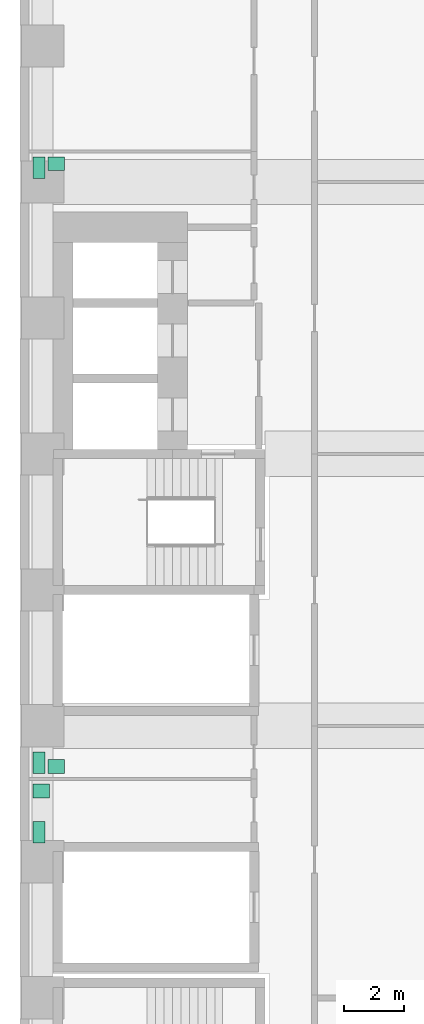
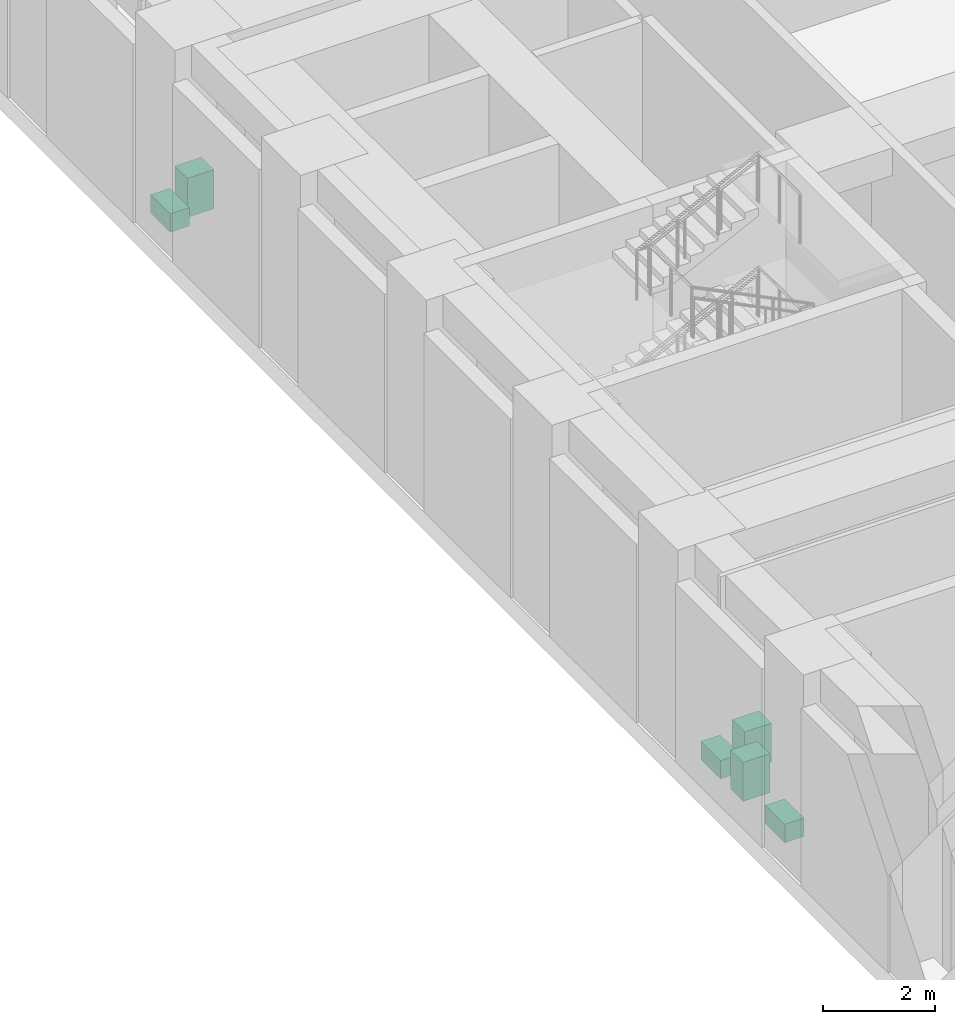
# One storey, part 34 of 34: 6 sanitary terminals.
"""IFC4 building model written with IfcOpenShell, lengths in metres."""

from ifc_helpers import new_model, si_unit, direction, frame, origin, origin_2d, place, context, subcontext, project, spatial, rectangle, extrude, material, type_object, element, save


model = new_model("IFC4")

# Units and contexts
model_context = context("Model", 3, precision=1e-05, world=origin(), true_north=direction((0.0, 1.0)))
body_context = subcontext(model_context, "Body", "Model", "MODEL_VIEW")
ifc_project = project(units=[si_unit("LENGTHUNIT", "METRE"), si_unit("AREAUNIT", "SQUARE_METRE"), si_unit("VOLUMEUNIT", "CUBIC_METRE"), si_unit("PLANEANGLEUNIT", "RADIAN"), si_unit("MASSUNIT", "GRAM", prefix="KILO")], contexts=[model_context])

# Site, building, storey
site_placement = place(None, origin())
site = spatial("IfcSite", under=ifc_project, at=site_placement, CompositionType="ELEMENT")
building_placement = place(site_placement, origin())
building = spatial("IfcBuilding", under=site, at=building_placement, Name="Firuza Court", CompositionType="ELEMENT")
storey_placement = place(building_placement, frame((0.0, 0.0, 14.0)))
storey = spatial("IfcBuildingStorey", under=building, at=storey_placement, Name="L02", CompositionType="ELEMENT", Elevation=14.0)

# Sanitary terminals
ifc_material_1 = material(Name="Vitreous china", Category="ceramic")
sanitary_terminal_type_1 = type_object("IfcSanitaryTerminalType", Name="Fixture WC pan", PredefinedType="TOILETPAN", material=ifc_material_1)
for number, where, z_axis, x_axis, name in (
    (1, (-0.1201171875, 14.47998046875, 0.0), (0.0, 0.0, 1.0), (1.0, 0.0, 0.0), "WC pan"),
    (2, (-0.1201171875, 16.780029296875, 0.0), (0.0, 0.0, 1.0), (1.0, 0.0, 0.0), "WC pan"),
    (3, (-0.1201171875, 36.469970703125, 0.0), (0.0, 0.0, 1.0), (1.0, 0.0, 0.0), "WC pan"),
):
    element("IfcSanitaryTerminal", number, at=place(storey_placement, frame(where, z_axis=z_axis, x_axis=x_axis)), inside=storey, type_object=sanitary_terminal_type_1, Name=name, PredefinedType="TOILETPAN", context=body_context, shape_type="SweptSolid", body=[
        extrude(rectangle(XDim=0.39990234375, YDim=0.699951171875, at=origin_2d()), origin(), (0.0, 0.0, 1.0), 0.39990234375),
    ])
ifc_material_2 = material(Name="Vitreous china", Category="ceramic")
sanitary_terminal_type_2 = type_object("IfcSanitaryTerminalType", Name="Fixture Washbasin", PredefinedType="WASHHANDBASIN", material=ifc_material_2)
for number, where, z_axis, x_axis, name in (
    (4, (-0.044921875, 15.844970703125, 0.0), (0.0, 0.0, 1.0), (1.0, 0.0, 0.0), "Washbasin"),
    (5, (0.455078125, 16.655029296875, 0.0), (0.0, 0.0, 1.0), (1.0, 0.0, 0.0), "Washbasin"),
    (6, (0.455078125, 36.594970703125, 0.0), (0.0, 0.0, 1.0), (1.0, 0.0, 0.0), "Washbasin"),
):
    element("IfcSanitaryTerminal", number, at=place(storey_placement, frame(where, z_axis=z_axis, x_axis=x_axis)), inside=storey, type_object=sanitary_terminal_type_2, Name=name, PredefinedType="WASHHANDBASIN", context=body_context, shape_type="SweptSolid", body=[
        extrude(rectangle(XDim=0.550048828125, YDim=0.449951171875, at=origin_2d()), origin(), (0.0, 0.0, 1.0), 0.85009765625),
    ])

save(model, "model.ifc")
